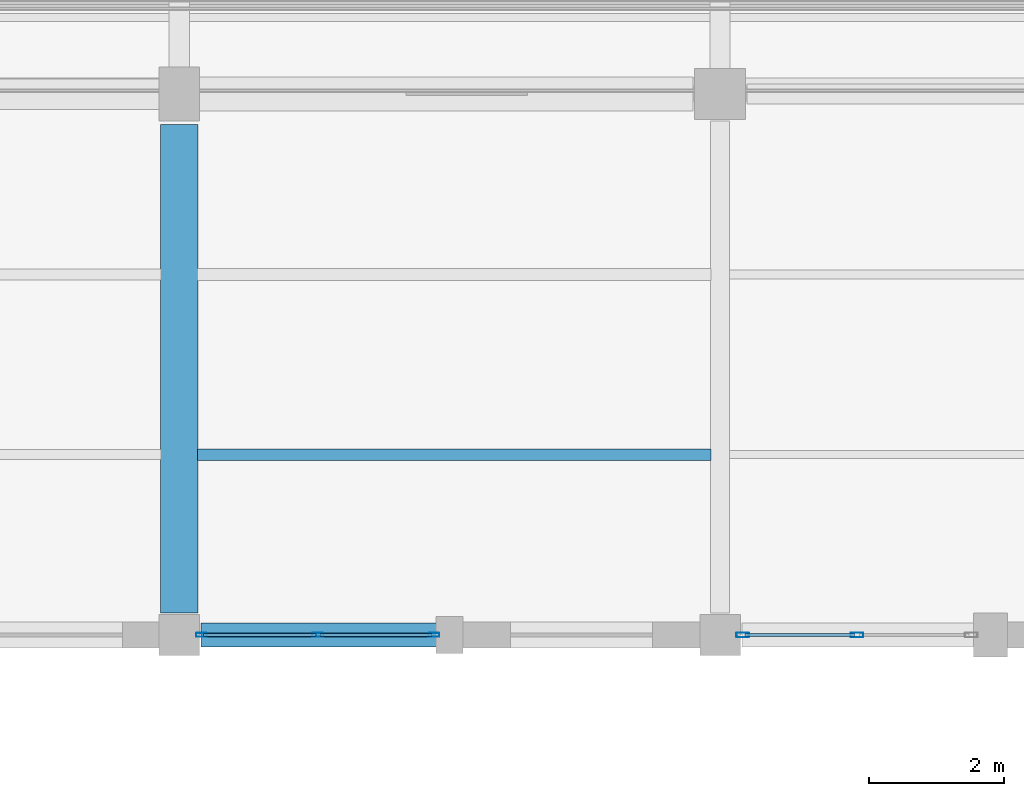
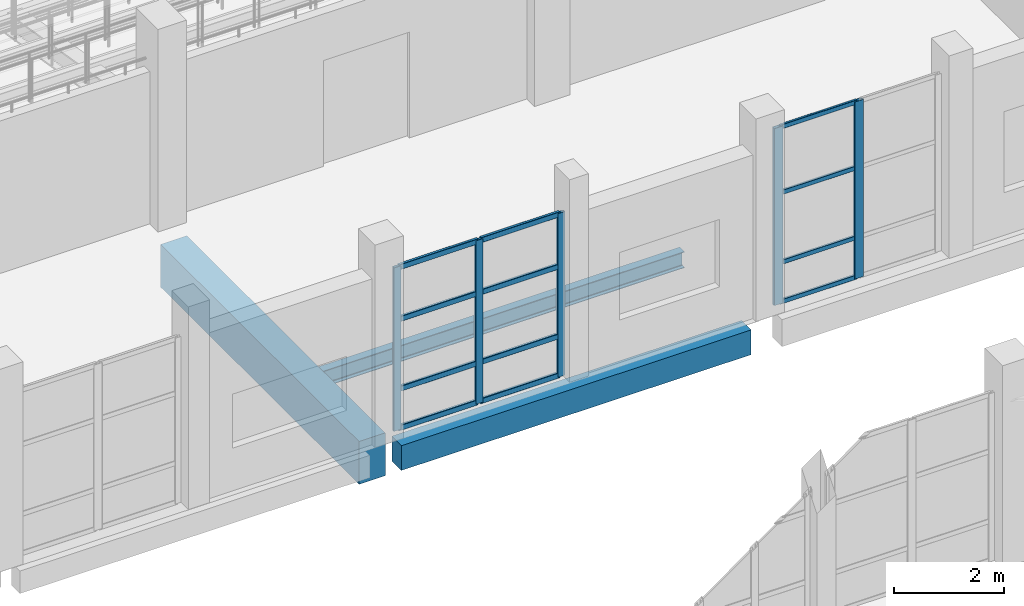
# One storey, part 40 of 183: 17 members, 3 beams, 2 elements without a shape of their own.
"""IFC4 building model written with IfcOpenShell, lengths in metres."""

from ifc_helpers import new_model, si_unit, direction, frame, origin, origin_2d, place, context, subcontext, project, spatial, rectangle, hollow_rectangle, i_section, extrude, material, material_profile, profile_set, type_object, element, aggregate, save


model = new_model("IFC4")

# Units and contexts
model_context = context("Model", 3, precision=1e-05, world=origin(), true_north=direction((0.0, 1.0)))
body_context = subcontext(model_context, "Body", "Model", "MODEL_VIEW")
ifc_project = project(units=[si_unit("LENGTHUNIT", "METRE"), si_unit("AREAUNIT", "SQUARE_METRE"), si_unit("VOLUMEUNIT", "CUBIC_METRE"), si_unit("PLANEANGLEUNIT", "RADIAN"), si_unit("MASSUNIT", "GRAM", prefix="KILO")], contexts=[model_context])

# Site, building, storey
site_placement = place(None, origin())
site = spatial("IfcSite", under=ifc_project, at=site_placement, CompositionType="ELEMENT")
building_placement = place(site_placement, origin())
building = spatial("IfcBuilding", under=site, at=building_placement, Name="Luwemba Playhouse", CompositionType="ELEMENT")
storey_placement = place(building_placement, frame((0.0, 0.0, 4.800048828125)))
storey = spatial("IfcBuildingStorey", under=building, at=storey_placement, Name="L01", CompositionType="ELEMENT", Elevation=4.800048828125)

# Beams
ifc_material_1 = material(Name="Concrete C40/50", Category="concrete")
ifc_material_profile_1 = material_profile(ifc_material_1, rectangle(XDim=0.550048828125, YDim=0.949951171875, at=origin_2d()))
ifc_profile_set_1 = profile_set([ifc_material_profile_1], Name="Concrete C40/50")
beam_type_1 = type_object("IfcBeamType", Name="BM-RB08", PredefinedType="BEAM", material=ifc_profile_set_1)
beam_1_placement = place(storey_placement, frame((20.0, 36.324951171875, -0.72509765625), z_axis=(0.0, 1.0, 0.0), x_axis=(-1.0, 0.0, 0.0)))
element("IfcBeam", 1, at=beam_1_placement, inside=storey, type_object=beam_type_1, Name="L01 transverse girder 0364", PredefinedType="BEAM", context=body_context, shape_type="SweptSolid", body=[
    extrude(rectangle(XDim=0.550048828125, YDim=0.949951171875, at=origin_2d()), origin(), (0.0, 0.0, 1.0), 7.22509765625),
])
ifc_material_2 = material(Name="Steel S355", Category="steel")
ifc_material_profile_2 = material_profile(ifc_material_2, i_section(OverallWidth=0.169921875, OverallDepth=0.360107421875, WebThickness=0.008056640625, FlangeThickness=0.0126953125, FilletRadius=0.01806640625, at=origin_2d()))
ifc_profile_set_2 = profile_set([ifc_material_profile_2], Name="Steel S355")
beam_type_2 = type_object("IfcBeamType", Name="BM-SJ07", PredefinedType="JOIST", material=ifc_profile_set_2)
beam_2_placement = place(storey_placement, frame((20.27099609375, 38.666748046875, -0.429931640625), z_axis=(1.0, 0.0, 0.0), x_axis=(0.0, 1.0, 0.0)))
element("IfcBeam", 2, at=beam_2_placement, inside=storey, type_object=beam_type_2, Name="L01 composite floor joist 0242", PredefinedType="JOIST", context=body_context, shape_type="SweptSolid", body=[
    extrude(i_section(OverallWidth=0.169921875, OverallDepth=0.360107421875, WebThickness=0.008056640625, FlangeThickness=0.0126953125, FilletRadius=0.01806640625, at=origin_2d()), origin(), (0.0, 0.0, 1.0), 7.593017578125),
])
ifc_material_profile_3 = material_profile(ifc_material_1, rectangle(XDim=0.35009765625, YDim=0.550048828125, at=origin_2d()))
ifc_profile_set_3 = profile_set([ifc_material_profile_3], Name="Concrete C40/50")
beam_type_3 = type_object("IfcBeamType", Name="BM-SP2", PredefinedType="SPANDREL", material=ifc_profile_set_3)
beam_3_placement = place(storey_placement, frame((20.324951171875, 36.0, -0.525146484375), z_axis=(1.0, 0.0, 0.0), x_axis=(0.0, 1.0, 0.0)))
element("IfcBeam", 3, at=beam_3_placement, inside=storey, type_object=beam_type_3, Name="L01 grid girder 0341", PredefinedType="SPANDREL", context=body_context, shape_type="SweptSolid", body=[
    extrude(rectangle(XDim=0.35009765625, YDim=0.550048828125, at=origin_2d()), origin(), (0.0, 0.0, 1.0), 7.35009765625),
])

# Curtain wall, members
ifc_material_3 = material(Name="Solar-control double glazing", Category="glass")
curtain_wall_type_1 = type_object("IfcCurtainWallType", Name="CW-CW77", PredefinedType="USERDEFINED", material=ifc_material_3)
curtain_wall_1_placement = place(storey_placement, origin())
curtain_wall_1 = element("IfcCurtainWall", 4, at=curtain_wall_1_placement, inside=storey, type_object=curtain_wall_type_1, Name="L01 V1 unitised curtain wall 102", ObjectType="UNITISED GLAZING", PredefinedType="USERDEFINED")
ifc_material_4 = material(Name="Aluminium 6063-T6", Category="aluminium")
ifc_material_profile_4 = material_profile(ifc_material_4, hollow_rectangle(XDim=0.06005859375, YDim=0.159912109375, WallThickness=0.00390625, InnerFilletRadius=0.006103515625, OuterFilletRadius=0.010009765625, at=origin_2d()))
ifc_profile_set_4 = profile_set([ifc_material_profile_4], Name="Aluminium 6063-T6")
member_type_1 = type_object("IfcMemberType", Name="CWM-M1", PredefinedType="MULLION", material=ifc_profile_set_4)
member_1_placement = place(storey_placement, frame((23.77001953125, 36.0, 0.0), z_axis=(0.0, 0.0, 1.0), x_axis=(0.0, -1.0, 0.0)))
member_1 = element("IfcMember", 5, at=member_1_placement, type_object=member_type_1, Name="CW77 mullion 1", PredefinedType="MULLION", context=body_context, shape_type="SweptSolid", body=[
    extrude(hollow_rectangle(XDim=0.06005859375, YDim=0.159912109375, WallThickness=0.00390625, InnerFilletRadius=0.006103515625, OuterFilletRadius=0.010009765625, at=origin_2d()), origin(), (0.0, 0.0, 1.0), 3.635009765625),
])
member_2_placement = place(storey_placement, frame((22.050048828125, 36.0, 0.0), z_axis=(0.0, 0.0, 1.0), x_axis=(0.0, -1.0, 0.0)))
member_2 = element("IfcMember", 6, at=member_2_placement, type_object=member_type_1, Name="CW77 mullion 2", PredefinedType="MULLION", context=body_context, shape_type="SweptSolid", body=[
    extrude(hollow_rectangle(XDim=0.06005859375, YDim=0.159912109375, WallThickness=0.00390625, InnerFilletRadius=0.006103515625, OuterFilletRadius=0.010009765625, at=origin_2d()), origin(), (0.0, 0.0, 1.0), 3.635009765625),
])
member_3_placement = place(storey_placement, frame((20.330078125, 36.0, 0.0), z_axis=(0.0, 0.0, 1.0), x_axis=(0.0, -1.0, 0.0)))
member_3 = element("IfcMember", 7, at=member_3_placement, type_object=member_type_1, Name="CW77 mullion 3", PredefinedType="MULLION", context=body_context, shape_type="SweptSolid", body=[
    extrude(hollow_rectangle(XDim=0.06005859375, YDim=0.159912109375, WallThickness=0.00390625, InnerFilletRadius=0.006103515625, OuterFilletRadius=0.010009765625, at=origin_2d()), origin(), (0.0, 0.0, 1.0), 3.635009765625),
])

curtain_wall_type_2 = type_object("IfcCurtainWallType", Name="CW-CW63", PredefinedType="USERDEFINED", material=ifc_material_3)
curtain_wall_2_placement = place(storey_placement, origin())
curtain_wall_2 = element("IfcCurtainWall", 8, at=curtain_wall_2_placement, inside=storey, type_object=curtain_wall_type_2, Name="L01 V1 unitised curtain wall 101", ObjectType="UNITISED GLAZING", PredefinedType="USERDEFINED")
ifc_material_profile_5 = material_profile(ifc_material_4, hollow_rectangle(XDim=0.070068359375, YDim=0.18994140625, WallThickness=0.0048828125, InnerFilletRadius=0.007568359375, OuterFilletRadius=0.012451171875, at=origin_2d()))
ifc_profile_set_5 = profile_set([ifc_material_profile_5], Name="Aluminium 6063-T6")
member_type_2 = type_object("IfcMemberType", Name="CWM-M4", PredefinedType="MULLION", material=ifc_profile_set_5)
member_4_placement = place(storey_placement, frame((30.02490234375, 36.0, 0.0), z_axis=(0.0, 0.0, 1.0), x_axis=(0.0, -1.0, 0.0)))
member_4 = element("IfcMember", 9, at=member_4_placement, type_object=member_type_2, Name="CW63 mullion 2", PredefinedType="MULLION", context=body_context, shape_type="SweptSolid", body=[
    extrude(hollow_rectangle(XDim=0.070068359375, YDim=0.18994140625, WallThickness=0.0048828125, InnerFilletRadius=0.007568359375, OuterFilletRadius=0.012451171875, at=origin_2d()), origin(), (0.0, 0.0, 1.0), 3.93505859375),
])
member_5_placement = place(storey_placement, frame((28.3349609375, 36.0, 0.0), z_axis=(0.0, 0.0, 1.0), x_axis=(0.0, -1.0, 0.0)))
member_5 = element("IfcMember", 10, at=member_5_placement, type_object=member_type_2, Name="CW63 mullion 3", PredefinedType="MULLION", context=body_context, shape_type="SweptSolid", body=[
    extrude(hollow_rectangle(XDim=0.070068359375, YDim=0.18994140625, WallThickness=0.0048828125, InnerFilletRadius=0.007568359375, OuterFilletRadius=0.012451171875, at=origin_2d()), origin(), (0.0, 0.0, 1.0), 3.93505859375),
])

# Member
ifc_material_profile_6 = material_profile(ifc_material_4, hollow_rectangle(XDim=0.06005859375, YDim=0.1201171875, WallThickness=0.00390625, InnerFilletRadius=0.006103515625, OuterFilletRadius=0.010009765625, at=origin_2d()))
ifc_profile_set_6 = profile_set([ifc_material_profile_6], Name="Aluminium 6063-T6")
member_type_3 = type_object("IfcMemberType", Name="CWT-T1", PredefinedType="USERDEFINED", material=ifc_profile_set_6)
member_6_placement = place(storey_placement, frame((23.739990234375, 36.0, 0.030029296875), z_axis=(-1.0, 0.0, 0.0), x_axis=(0.0, -1.0, 0.0)))
member_6 = element("IfcMember", 11, at=member_6_placement, type_object=member_type_3, Name="CW77 transom 1.1", ObjectType="TRANSOM", PredefinedType="USERDEFINED", context=body_context, shape_type="SweptSolid", body=[
    extrude(hollow_rectangle(XDim=0.06005859375, YDim=0.1201171875, WallThickness=0.00390625, InnerFilletRadius=0.006103515625, OuterFilletRadius=0.010009765625, at=origin_2d()), origin(), (0.0, 0.0, 1.0), 1.659912109375),
])

member_7_placement = place(storey_placement, frame((23.739990234375, 36.0, 0.89990234375), z_axis=(-1.0, 0.0, 0.0), x_axis=(0.0, -1.0, 0.0)))
member_7 = element("IfcMember", 12, at=member_7_placement, type_object=member_type_3, Name="CW77 transom 1.2", ObjectType="TRANSOM", PredefinedType="USERDEFINED", context=body_context, shape_type="SweptSolid", body=[
    extrude(hollow_rectangle(XDim=0.06005859375, YDim=0.1201171875, WallThickness=0.00390625, InnerFilletRadius=0.006103515625, OuterFilletRadius=0.010009765625, at=origin_2d()), origin(), (0.0, 0.0, 1.0), 1.659912109375),
])

member_8_placement = place(storey_placement, frame((23.739990234375, 36.0, 2.449951171875), z_axis=(-1.0, 0.0, 0.0), x_axis=(0.0, -1.0, 0.0)))
member_8 = element("IfcMember", 13, at=member_8_placement, type_object=member_type_3, Name="CW77 transom 1.3", ObjectType="TRANSOM", PredefinedType="USERDEFINED", context=body_context, shape_type="SweptSolid", body=[
    extrude(hollow_rectangle(XDim=0.06005859375, YDim=0.1201171875, WallThickness=0.00390625, InnerFilletRadius=0.006103515625, OuterFilletRadius=0.010009765625, at=origin_2d()), origin(), (0.0, 0.0, 1.0), 1.659912109375),
])

member_9_placement = place(storey_placement, frame((23.739990234375, 36.0, 3.60498046875), z_axis=(-1.0, 0.0, 0.0), x_axis=(0.0, -1.0, 0.0)))
member_9 = element("IfcMember", 14, at=member_9_placement, type_object=member_type_3, Name="CW77 transom 1.4", ObjectType="TRANSOM", PredefinedType="USERDEFINED", context=body_context, shape_type="SweptSolid", body=[
    extrude(hollow_rectangle(XDim=0.06005859375, YDim=0.1201171875, WallThickness=0.00390625, InnerFilletRadius=0.006103515625, OuterFilletRadius=0.010009765625, at=origin_2d()), origin(), (0.0, 0.0, 1.0), 1.659912109375),
])

member_10_placement = place(storey_placement, frame((22.02001953125, 36.0, 0.030029296875), z_axis=(-1.0, 0.0, 0.0), x_axis=(0.0, -1.0, 0.0)))
member_10 = element("IfcMember", 15, at=member_10_placement, type_object=member_type_3, Name="CW77 transom 2.1", ObjectType="TRANSOM", PredefinedType="USERDEFINED", context=body_context, shape_type="SweptSolid", body=[
    extrude(hollow_rectangle(XDim=0.06005859375, YDim=0.1201171875, WallThickness=0.00390625, InnerFilletRadius=0.006103515625, OuterFilletRadius=0.010009765625, at=origin_2d()), origin(), (0.0, 0.0, 1.0), 1.659912109375),
])

member_11_placement = place(storey_placement, frame((22.02001953125, 36.0, 0.89990234375), z_axis=(-1.0, 0.0, 0.0), x_axis=(0.0, -1.0, 0.0)))
member_11 = element("IfcMember", 16, at=member_11_placement, type_object=member_type_3, Name="CW77 transom 2.2", ObjectType="TRANSOM", PredefinedType="USERDEFINED", context=body_context, shape_type="SweptSolid", body=[
    extrude(hollow_rectangle(XDim=0.06005859375, YDim=0.1201171875, WallThickness=0.00390625, InnerFilletRadius=0.006103515625, OuterFilletRadius=0.010009765625, at=origin_2d()), origin(), (0.0, 0.0, 1.0), 1.659912109375),
])

member_12_placement = place(storey_placement, frame((22.02001953125, 36.0, 2.449951171875), z_axis=(-1.0, 0.0, 0.0), x_axis=(0.0, -1.0, 0.0)))
member_12 = element("IfcMember", 17, at=member_12_placement, type_object=member_type_3, Name="CW77 transom 2.3", ObjectType="TRANSOM", PredefinedType="USERDEFINED", context=body_context, shape_type="SweptSolid", body=[
    extrude(hollow_rectangle(XDim=0.06005859375, YDim=0.1201171875, WallThickness=0.00390625, InnerFilletRadius=0.006103515625, OuterFilletRadius=0.010009765625, at=origin_2d()), origin(), (0.0, 0.0, 1.0), 1.659912109375),
])

member_13_placement = place(storey_placement, frame((22.02001953125, 36.0, 3.60498046875), z_axis=(-1.0, 0.0, 0.0), x_axis=(0.0, -1.0, 0.0)))
member_13 = element("IfcMember", 18, at=member_13_placement, type_object=member_type_3, Name="CW77 transom 2.4", ObjectType="TRANSOM", PredefinedType="USERDEFINED", context=body_context, shape_type="SweptSolid", body=[
    extrude(hollow_rectangle(XDim=0.06005859375, YDim=0.1201171875, WallThickness=0.00390625, InnerFilletRadius=0.006103515625, OuterFilletRadius=0.010009765625, at=origin_2d()), origin(), (0.0, 0.0, 1.0), 1.659912109375),
])

aggregate(curtain_wall_1, [member_1, member_2, member_3, member_6, member_7, member_8, member_9, member_10, member_11, member_12, member_13])

ifc_material_profile_7 = material_profile(ifc_material_4, hollow_rectangle(XDim=0.050048828125, YDim=0.10009765625, WallThickness=0.00341796875, InnerFilletRadius=0.00537109375, OuterFilletRadius=0.0087890625, at=origin_2d()))
ifc_profile_set_7 = profile_set([ifc_material_profile_7], Name="Aluminium 6063-T6")
member_type_4 = type_object("IfcMemberType", Name="CWT-T4", PredefinedType="USERDEFINED", material=ifc_profile_set_7)
member_14_placement = place(storey_placement, frame((29.989990234375, 36.0, 0.02490234375), z_axis=(-1.0, 0.0, 0.0), x_axis=(0.0, -1.0, 0.0)))
member_14 = element("IfcMember", 19, at=member_14_placement, type_object=member_type_4, Name="CW63 transom 2.1", ObjectType="TRANSOM", PredefinedType="USERDEFINED", context=body_context, shape_type="SweptSolid", body=[
    extrude(hollow_rectangle(XDim=0.050048828125, YDim=0.10009765625, WallThickness=0.00341796875, InnerFilletRadius=0.00537109375, OuterFilletRadius=0.0087890625, at=origin_2d()), origin(), (0.0, 0.0, 1.0), 1.619873046875),
])

member_15_placement = place(storey_placement, frame((29.989990234375, 36.0, 0.89990234375), z_axis=(-1.0, 0.0, 0.0), x_axis=(0.0, -1.0, 0.0)))
member_15 = element("IfcMember", 20, at=member_15_placement, type_object=member_type_4, Name="CW63 transom 2.2", ObjectType="TRANSOM", PredefinedType="USERDEFINED", context=body_context, shape_type="SweptSolid", body=[
    extrude(hollow_rectangle(XDim=0.050048828125, YDim=0.10009765625, WallThickness=0.00341796875, InnerFilletRadius=0.00537109375, OuterFilletRadius=0.0087890625, at=origin_2d()), origin(), (0.0, 0.0, 1.0), 1.619873046875),
])

member_16_placement = place(storey_placement, frame((29.989990234375, 36.0, 2.449951171875), z_axis=(-1.0, 0.0, 0.0), x_axis=(0.0, -1.0, 0.0)))
member_16 = element("IfcMember", 21, at=member_16_placement, type_object=member_type_4, Name="CW63 transom 2.3", ObjectType="TRANSOM", PredefinedType="USERDEFINED", context=body_context, shape_type="SweptSolid", body=[
    extrude(hollow_rectangle(XDim=0.050048828125, YDim=0.10009765625, WallThickness=0.00341796875, InnerFilletRadius=0.00537109375, OuterFilletRadius=0.0087890625, at=origin_2d()), origin(), (0.0, 0.0, 1.0), 1.619873046875),
])

member_17_placement = place(storey_placement, frame((29.989990234375, 36.0, 3.909912109375), z_axis=(-1.0, 0.0, 0.0), x_axis=(0.0, -1.0, 0.0)))
member_17 = element("IfcMember", 22, at=member_17_placement, type_object=member_type_4, Name="CW63 transom 2.4", ObjectType="TRANSOM", PredefinedType="USERDEFINED", context=body_context, shape_type="SweptSolid", body=[
    extrude(hollow_rectangle(XDim=0.050048828125, YDim=0.10009765625, WallThickness=0.00341796875, InnerFilletRadius=0.00537109375, OuterFilletRadius=0.0087890625, at=origin_2d()), origin(), (0.0, 0.0, 1.0), 1.619873046875),
])

aggregate(curtain_wall_2, [member_4, member_5, member_14, member_15, member_16, member_17])

save(model, "model.ifc")
